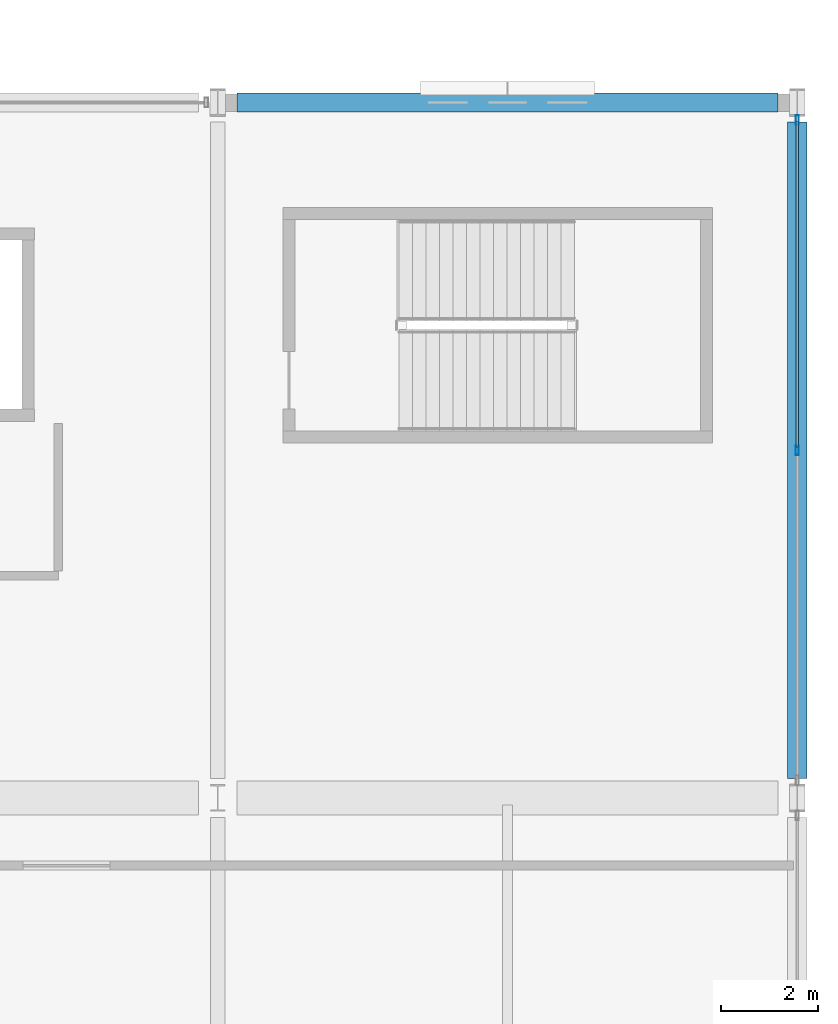
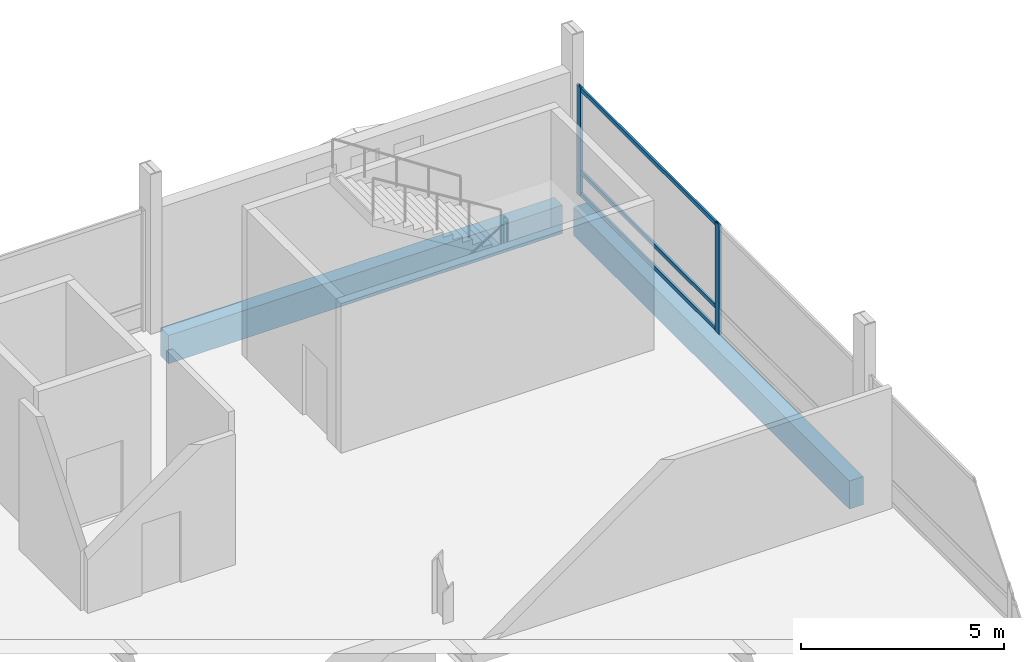
# One storey, part 129 of 220: 5 members, 2 beams, 1 element without a shape of its own.
"""IFC4 building model written with IfcOpenShell, lengths in metres."""

from ifc_helpers import new_model, si_unit, direction, frame, origin, origin_2d, place, context, subcontext, project, spatial, rectangle, hollow_rectangle, extrude, material, material_profile, profile_set, type_object, element, aggregate, save


model = new_model("IFC4")

# Units and contexts
model_context = context("Model", 3, precision=1e-05, world=origin(), true_north=direction((0.0, 1.0)))
body_context = subcontext(model_context, "Body", "Model", "MODEL_VIEW")
ifc_project = project(units=[si_unit("LENGTHUNIT", "METRE"), si_unit("AREAUNIT", "SQUARE_METRE"), si_unit("VOLUMEUNIT", "CUBIC_METRE"), si_unit("PLANEANGLEUNIT", "RADIAN"), si_unit("MASSUNIT", "GRAM", prefix="KILO")], contexts=[model_context])

# Site, building, storey
site_placement = place(None, origin())
site = spatial("IfcSite", under=ifc_project, at=site_placement, CompositionType="ELEMENT")
building_placement = place(site_placement, origin())
building = spatial("IfcBuilding", under=site, at=building_placement, Name="Cendralis Lancet Convention Centre", CompositionType="ELEMENT")
storey_placement = place(building_placement, frame((0.0, 0.0, 5.39990234375)))
storey = spatial("IfcBuildingStorey", under=building, at=storey_placement, Name="L01", CompositionType="ELEMENT", Elevation=5.39990234375)

# Curtain wall, members
ifc_material_1 = material(Name="Anodised bronze architectural aluminium", Category="aluminium")
curtain_wall_type = type_object("IfcCurtainWallType", Name="ARC-CW-BL02", PredefinedType="USERDEFINED", material=ifc_material_1)
curtain_wall_placement = place(storey_placement, origin())
curtain_wall = element("IfcCurtainWall", 1, at=curtain_wall_placement, inside=storey, type_object=curtain_wall_type, Name="L01 Curtain Wall CW-BL2 #154", ObjectType="CURTAIN WALL", PredefinedType="USERDEFINED")
ifc_material_profile_1 = material_profile(ifc_material_1, hollow_rectangle(XDim=0.070068359375, YDim=0.199951171875, WallThickness=0.0048828125, at=origin_2d()), Name="AL-MULL 70x200x5.0")
ifc_profile_set_1 = profile_set([ifc_material_profile_1], Name="Anodised bronze architectural aluminium")
member_type_1 = type_object("IfcMemberType", Name="ARC-CW-ML02", PredefinedType="MULLION", material=ifc_profile_set_1)
member_1_placement = place(storey_placement, frame((208.800048828125, 136.43994140625, 0.0), z_axis=(0.0, 0.0, 1.0), x_axis=(1.0, 0.0, 0.0)))
member_1 = element("IfcMember", 2, at=member_1_placement, type_object=member_type_1, Name="Mullion CW2-CW-BL2-L01-154-M0", PredefinedType="MULLION", context=body_context, shape_type="SweptSolid", body=[
    extrude(hollow_rectangle(XDim=0.070068359375, YDim=0.199951171875, WallThickness=0.0048828125, at=origin_2d()), origin(), (0.0, 0.0, 1.0), 3.28515625),
])
member_2_placement = place(storey_placement, frame((208.800048828125, 129.60009765625, 0.0), z_axis=(0.0, 0.0, 1.0), x_axis=(1.0, 0.0, 0.0)))
member_2 = element("IfcMember", 3, at=member_2_placement, type_object=member_type_1, Name="Mullion CW2-CW-BL2-L01-154-M1", PredefinedType="MULLION", context=body_context, shape_type="SweptSolid", body=[
    extrude(hollow_rectangle(XDim=0.070068359375, YDim=0.199951171875, WallThickness=0.0048828125, at=origin_2d()), origin(), (0.0, 0.0, 1.0), 3.28515625),
])
ifc_material_profile_2 = material_profile(ifc_material_1, hollow_rectangle(XDim=0.06005859375, YDim=0.1201171875, WallThickness=0.00390625, at=origin_2d()), Name="AL-TRAN 60x120x4.0")
ifc_profile_set_2 = profile_set([ifc_material_profile_2], Name="Anodised bronze architectural aluminium")
member_type_2 = type_object("IfcMemberType", Name="ARC-CW-TR01", PredefinedType="USERDEFINED", material=ifc_profile_set_2)
member_3_placement = place(storey_placement, frame((208.800048828125, 136.405029296875, 0.06005859375), z_axis=(0.0, -1.0, 0.0), x_axis=(1.0, 0.0, 0.0)))
member_3 = element("IfcMember", 4, at=member_3_placement, type_object=member_type_2, Name="Transom CW2-CW-BL2-L01-154-T0BOT", ObjectType="TRANSOM", PredefinedType="USERDEFINED", context=body_context, shape_type="SweptSolid", body=[
    extrude(hollow_rectangle(XDim=0.06005859375, YDim=0.1201171875, WallThickness=0.00390625, at=origin_2d()), origin(), (0.0, 0.0, 1.0), 6.735107421875),
])
member_4_placement = place(storey_placement, frame((208.800048828125, 136.405029296875, 0.722900390625), z_axis=(0.0, -1.0, 0.0), x_axis=(1.0, 0.0, 0.0)))
member_4 = element("IfcMember", 5, at=member_4_placement, type_object=member_type_2, Name="Transom CW2-CW-BL2-L01-154-T0MID", ObjectType="TRANSOM", PredefinedType="USERDEFINED", context=body_context, shape_type="SweptSolid", body=[
    extrude(hollow_rectangle(XDim=0.06005859375, YDim=0.1201171875, WallThickness=0.00390625, at=origin_2d()), origin(), (0.0, 0.0, 1.0), 6.735107421875),
])
member_5_placement = place(storey_placement, frame((208.800048828125, 136.405029296875, 3.22509765625), z_axis=(0.0, -1.0, 0.0), x_axis=(1.0, 0.0, 0.0)))
member_5 = element("IfcMember", 6, at=member_5_placement, type_object=member_type_2, Name="Transom CW2-CW-BL2-L01-154-T0TOP", ObjectType="TRANSOM", PredefinedType="USERDEFINED", context=body_context, shape_type="SweptSolid", body=[
    extrude(hollow_rectangle(XDim=0.06005859375, YDim=0.1201171875, WallThickness=0.00390625, at=origin_2d()), origin(), (0.0, 0.0, 1.0), 6.735107421875),
])
aggregate(curtain_wall, [member_1, member_2, member_3, member_4, member_5])

# Beams
ifc_material_2 = material(Name="Concrete G40 (C40/50)", Category="concrete")
ifc_material_profile_3 = material_profile(ifc_material_2, rectangle(XDim=0.39990234375, YDim=0.85009765625, at=origin_2d()), Name="RCB 400x850")
ifc_profile_set_3 = profile_set([ifc_material_profile_3], Name="Concrete G40 (C40/50)")
beam_type = type_object("IfcBeamType", Name="STR-SP-SP02", PredefinedType="SPANDREL", material=ifc_profile_set_3)
beam_1_placement = place(storey_placement, frame((197.199951171875, 136.800048828125, -0.704833984375), z_axis=(1.0, 0.0, 0.0), x_axis=(0.0, 1.0, 0.0)))
element("IfcBeam", 7, at=beam_1_placement, inside=storey, type_object=beam_type, Name="L01 Beam SP02 #1662", PredefinedType="SPANDREL", context=body_context, shape_type="SweptSolid", body=[
    extrude(rectangle(XDim=0.39990234375, YDim=0.85009765625, at=origin_2d()), origin(), (0.0, 0.0, 1.0), 11.199951171875),
])
beam_2_placement = place(storey_placement, frame((208.800048828125, 122.800048828125, -0.704833984375), z_axis=(0.0, 1.0, 0.0), x_axis=(-1.0, 0.0, 0.0)))
element("IfcBeam", 8, at=beam_2_placement, inside=storey, type_object=beam_type, Name="L01 Beam SP02 #1683", PredefinedType="SPANDREL", context=body_context, shape_type="SweptSolid", body=[
    extrude(rectangle(XDim=0.39990234375, YDim=0.85009765625, at=origin_2d()), origin(), (0.0, 0.0, 1.0), 13.599853515625),
])

save(model, "model.ifc")
